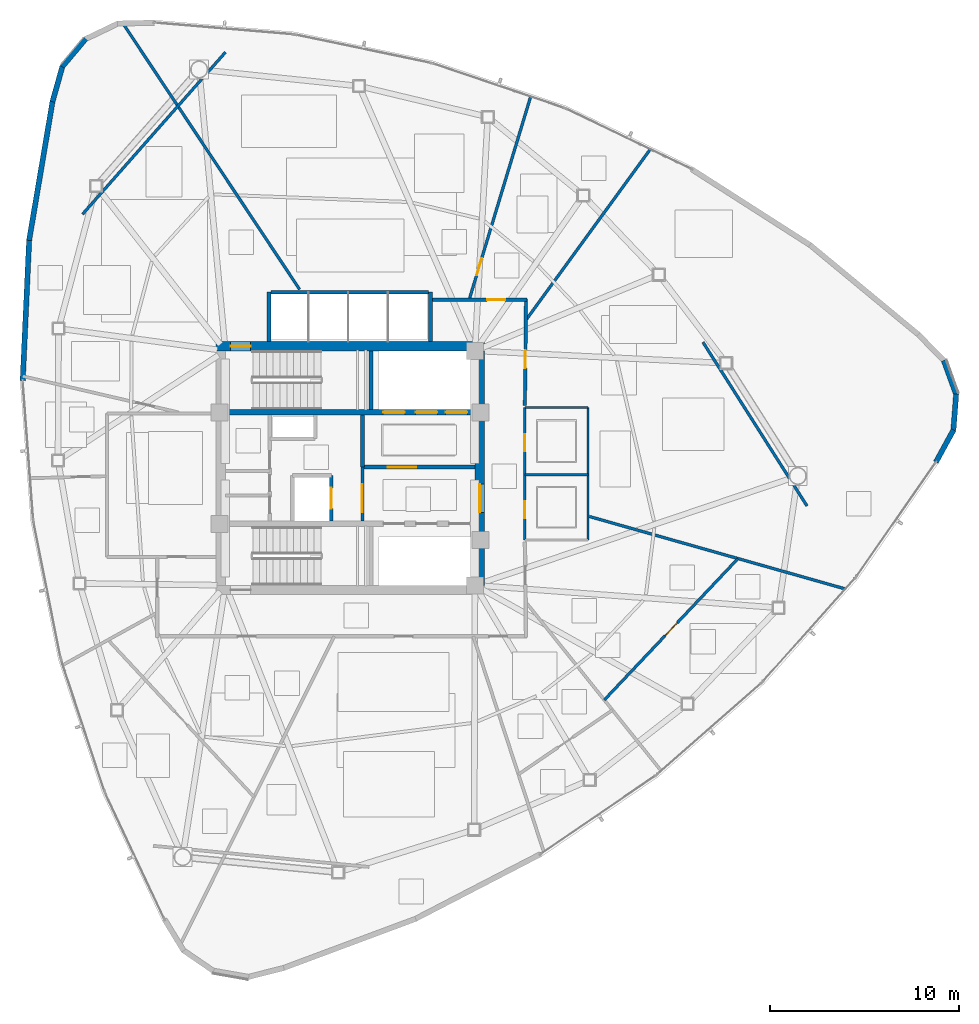
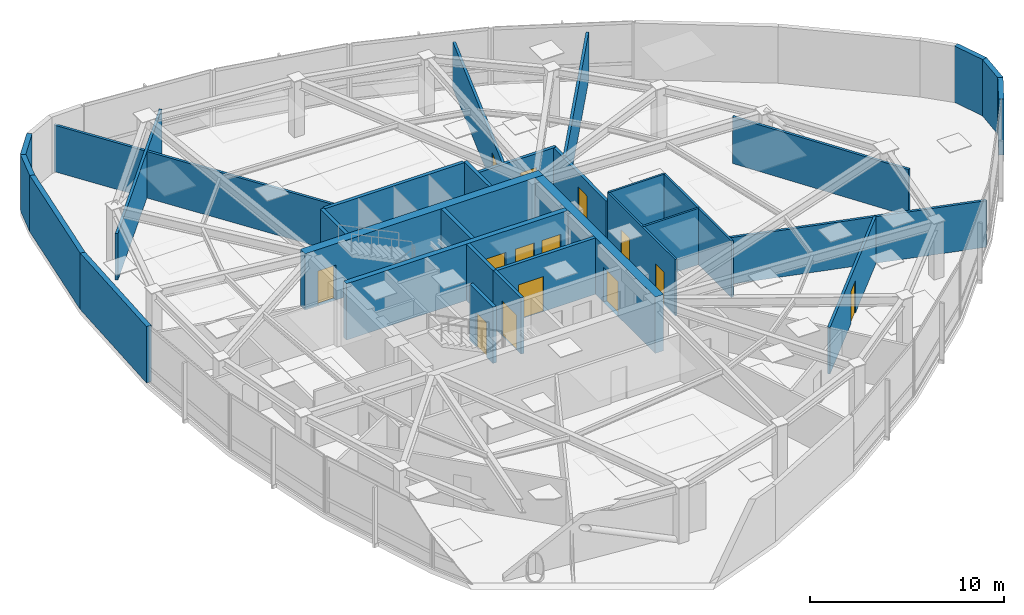
# One storey, part 12 of 17: 31 walls, 14 doors, 14 openings.
"""IFC4 building model written with IfcOpenShell, lengths in metres."""

import ifcopenshell
import ifcopenshell.guid

model = None  # the IFC model being written
_history = None  # IfcOwnerHistory: only IFC2X3 demands one
_inside = {}  # id of a spatial element -> (the spatial element, [elements in it])
_under = {}  # id of a project, library or spatial element -> (it, [spatial elements below it])
_declared = {}  # id of a project -> (the project, [libraries it declares])
_typed = {}  # id of a type object -> (the type object, [elements of that type])
_made_of = {}  # id of a material, layer set ... -> (it, [elements and type objects made of it])


def new_model(schema):
    """Start an empty IFC model of exactly this schema.

    Asked for "IFC4X3", IfcOpenShell would pick the latest addendum, in which some entities
    have other attributes; the version numbers below select the first issue.
    IFC2X3 requires an IfcOwnerHistory on every rooted entity: one is made here for all.
    """
    global model, _history
    if schema == "IFC4X3":
        model = ifcopenshell.file(schema_version=(4, 3, 0, 0))
    else:
        model = ifcopenshell.file(schema=schema)
    _inside.clear()
    _under.clear()
    _declared.clear()
    _typed.clear()
    _made_of.clear()
    _history = None
    if model.schema == "IFC2X3":
        org = make("IfcOrganization", Name="unknown")
        user = make(
            "IfcPersonAndOrganization",
            ThePerson=make("IfcPerson", FamilyName="unknown"),
            TheOrganization=org,
        )
        app = make(
            "IfcApplication",
            ApplicationDeveloper=org,
            Version="unknown",
            ApplicationFullName="unknown",
            ApplicationIdentifier="unknown",
        )
        _history = make(
            "IfcOwnerHistory",
            OwningUser=user,
            OwningApplication=app,
            ChangeAction="ADDED",
            CreationDate=0,
        )
    return model


def make(cls, **values):
    """One entity of the class cls with the attributes given. An attribute that is None is left unset."""
    return model.create_entity(
        cls, **{name: value for name, value in values.items() if value is not None}
    )


def rooted(cls, **values):
    """An entity with a GlobalId (a new one), such as an element, a storey or a relation."""
    return make(cls, GlobalId=ifcopenshell.guid.new(), OwnerHistory=_history, **values)


def si_unit(unit_type, name, prefix=None):
    """IfcSIUnit, for example si_unit("LENGTHUNIT", "METRE", prefix="MILLI")."""
    return make("IfcSIUnit", UnitType=unit_type, Prefix=prefix, Name=name)


def assignment(units):
    """IfcUnitAssignment: the units of a project."""
    return None if units is None else make("IfcUnitAssignment", Units=units)


def point(xyz):
    """IfcCartesianPoint."""
    return None if xyz is None else make("IfcCartesianPoint", Coordinates=xyz)


def direction(xyz):
    """IfcDirection."""
    return None if xyz is None else make("IfcDirection", DirectionRatios=xyz)


def frame(location, z_axis=None, x_axis=None):
    """IfcAxis2Placement3D, a coordinate frame: its origin and axes. An axis left out is left unset."""
    return make(
        "IfcAxis2Placement3D",
        Location=point(location),
        Axis=direction(z_axis),
        RefDirection=direction(x_axis),
    )


def frame_2d(location, x_axis=None):
    """IfcAxis2Placement2D, a coordinate frame in the plane: its origin and x axis."""
    return make(
        "IfcAxis2Placement2D", Location=point(location), RefDirection=direction(x_axis)
    )


def origin():
    """The frame at (0, 0, 0) with its axes left unset."""
    return frame((0.0, 0.0, 0.0))


def place(relative_to, where):
    """IfcLocalPlacement: puts the frame where relative to a parent placement (None: the world)."""
    return make(
        "IfcLocalPlacement", PlacementRelTo=relative_to, RelativePlacement=where
    )


def context(
    kind, dimensions, precision=None, world=None, true_north=None, identifier=None
):
    """IfcGeometricRepresentationContext, for example the 3D "Model" context."""
    return make(
        "IfcGeometricRepresentationContext",
        ContextIdentifier=identifier,
        ContextType=kind,
        CoordinateSpaceDimension=dimensions,
        Precision=precision,
        WorldCoordinateSystem=world,
        TrueNorth=true_north,
    )


def subcontext(parent, identifier, kind, view, scale=None):
    """IfcGeometricRepresentationSubContext, for example "Body" below "Model"."""
    return make(
        "IfcGeometricRepresentationSubContext",
        ContextIdentifier=identifier,
        ContextType=kind,
        ParentContext=parent,
        TargetScale=scale,
        TargetView=view,
    )


def project(units=None, contexts=None):
    """IfcProject with its units and contexts."""
    return rooted(
        "IfcProject",
        Name="project",
        RepresentationContexts=contexts,
        UnitsInContext=assignment(units),
    )


def spatial(cls, under=None, at=None, **own):
    """A site, building, storey or space (cls), placed at a placement, below another one or the project."""
    s = rooted(cls, ObjectPlacement=at, **own)
    if under is not None:
        _under.setdefault(under.id(), (under, []))[1].append(s)
    return s


def profile(cls, at=None, kind="AREA", **sizes):
    """A parametric profile (cls). Its sizes go by their IFC names, for example OverallWidth=200.0."""
    return make(cls, ProfileType=kind, Position=at, **sizes)


def rectangle(**sizes):
    """IfcRectangleProfileDef."""
    return profile("IfcRectangleProfileDef", **sizes)


def extrude(swept, where, along, depth):
    """IfcExtrudedAreaSolid: the profile swept, set in the frame where, extruded along a direction by depth."""
    return make(
        "IfcExtrudedAreaSolid",
        SweptArea=swept,
        Position=where,
        ExtrudedDirection=direction(along),
        Depth=depth,
    )


def shape(context_of_items, identifier, shape_type, items):
    """IfcShapeRepresentation: the items that make up one representation, for example the "Body"."""
    return make(
        "IfcShapeRepresentation",
        ContextOfItems=context_of_items,
        RepresentationIdentifier=identifier,
        RepresentationType=shape_type,
        Items=items,
    )


def material(Name=None, Category=None):
    """IfcMaterial."""
    return make("IfcMaterial", Name=Name, Category=Category)


def layer(
    of_material, thickness, ventilated=None, Name=None, Category=None, Priority=None
):
    """IfcMaterialLayer: one layer of a wall or slab, of a material (None: an air gap)."""
    return make(
        "IfcMaterialLayer",
        Material=of_material,
        LayerThickness=thickness,
        IsVentilated=ventilated,
        Name=Name,
        Category=Category,
        Priority=Priority,
    )


def layer_set(layers, Name=None):
    """IfcMaterialLayerSet."""
    return make("IfcMaterialLayerSet", MaterialLayers=layers, LayerSetName=Name)


def made_of(thing, what):
    """Note that an element or type object is made of a material, layer set ...; save() writes the relation."""
    if what is not None:
        _made_of.setdefault(what.id(), (what, []))[1].append(thing)
    return thing


def type_object(cls, material=None, **own):
    """A type object (cls), such as IfcWallType, which elements share."""
    return made_of(rooted(cls, **own), material)


def element(
    cls,
    number,
    at=None,
    inside=None,
    cuts=None,
    type_object=None,
    material=None,
    context=None,
    identifier="Body",
    shape_type=None,
    held_by="IfcProductDefinitionShape",
    body=None,
    shapes=None,
    **own,
):
    """One element of the class cls, such as IfcWall. Its Tag is "e" and its number.

    at: its placement. inside: the storey or other place that contains it. cuts: it is an
    opening in that element (IfcRelVoidsElement). A single representation is given by context,
    identifier, shape_type and body (its items); several are given by shapes. held_by: the class
    of the entity that holds the representations. save() writes the other relations.
    """
    e = rooted(cls, Tag="e%d" % number, ObjectPlacement=at, **own)
    if body is not None:
        shapes = [shape(context, identifier, shape_type, body)]
    if shapes is not None:
        e.Representation = make(held_by, Representations=shapes)
    if inside is not None:
        _inside.setdefault(inside.id(), (inside, []))[1].append(e)
    if cuts is not None:
        rooted(
            "IfcRelVoidsElement", RelatingBuildingElement=cuts, RelatedOpeningElement=e
        )
    if type_object is not None:
        _typed.setdefault(type_object.id(), (type_object, []))[1].append(e)
    return made_of(e, material)


def fill(opening, filler):
    """IfcRelFillsElement: the door or window that sits in an opening."""
    return rooted(
        "IfcRelFillsElement",
        RelatingOpeningElement=opening,
        RelatedBuildingElement=filler,
    )


def aggregate(whole, parts):
    """IfcRelAggregates: a whole, such as a stair, and the parts it consists of."""
    return rooted("IfcRelAggregates", RelatingObject=whole, RelatedObjects=parts)


def save(model, path):
    """Write the relations noted so far, then the file.

    IfcRelAggregates (storeys below a building ...), IfcRelContainedInSpatialStructure (elements
    in a storey), IfcRelDefinesByType, IfcRelAssociatesMaterial and IfcRelDeclares: one each for
    every whole, place, type object, material and project.
    """
    for whole, parts in _under.values():
        aggregate(whole, parts)
    for where, things in _inside.values():
        rooted(
            "IfcRelContainedInSpatialStructure",
            RelatedElements=things,
            RelatingStructure=where,
        )
    for kind, things in _typed.values():
        rooted("IfcRelDefinesByType", RelatedObjects=things, RelatingType=kind)
    for what, things in _made_of.values():
        rooted("IfcRelAssociatesMaterial", RelatedObjects=things, RelatingMaterial=what)
    for by, libraries in _declared.values():
        rooted("IfcRelDeclares", RelatingContext=by, RelatedDefinitions=libraries)
    model.write(path)


model = new_model("IFC4")

# Units and contexts
model_context = context("Model", 3, precision=1e-05, world=origin(), true_north=direction((0.0, 1.0)))
body_context = subcontext(model_context, "Body", "Model", "MODEL_VIEW")
ifc_project = project(units=[si_unit("LENGTHUNIT", "METRE"), si_unit("AREAUNIT", "SQUARE_METRE"), si_unit("VOLUMEUNIT", "CUBIC_METRE"), si_unit("PLANEANGLEUNIT", "RADIAN"), si_unit("MASSUNIT", "GRAM", prefix="KILO")], contexts=[model_context])

# Site, building, storey
site_placement = place(None, origin())
site = spatial("IfcSite", under=ifc_project, at=site_placement, CompositionType="ELEMENT")
building_placement = place(site_placement, origin())
building = spatial("IfcBuilding", under=site, at=building_placement, Name="Tavelor Broadcast Tower", CompositionType="ELEMENT")
storey_placement = place(building_placement, frame((0.0, 0.0, 192.60009765625)))
storey = spatial("IfcBuildingStorey", under=building, at=storey_placement, Name="L46", CompositionType="ELEMENT", Elevation=192.60009765625)

# Wall, opening, door
ifc_material_1 = material(Name="Concrete C50/60", Category="concrete")
ifc_layer_1 = layer(ifc_material_1, 0.5)
ifc_layer_set_1 = layer_set([ifc_layer_1], Name="Concrete C50/60")
wall_type_1 = type_object("IfcWallType", Name="Core Shear Wall 500 mm", PredefinedType="SHEAR", material=ifc_layer_set_1)
wall_1_placement = place(storey_placement, frame((42.89990234375, 51.449951171875, 0.0), z_axis=(0.0, 0.0, 1.0), x_axis=(1.0, 0.0, 0.0)))
wall_1 = element("IfcWall", 1, at=wall_1_placement, inside=storey, type_object=wall_type_1, Name="L46 Central Core Shear Wall N", PredefinedType="SHEAR", context=body_context, shape_type="SweptSolid", body=[
    extrude(rectangle(XDim=14.2001953125, YDim=0.5, at=frame_2d((7.10009765625, 0.0))), origin(), (0.0, 0.0, 1.0), 3.5498046875),
])
opening_1_placement = place(wall_1_placement, frame((0.780029296875, 0.0, 0.0)))
opening_1 = element("IfcOpeningElement", 2, at=opening_1_placement, cuts=wall_1, Name="Opening DR11", PredefinedType="OPENING", context=body_context, shape_type="SweptSolid", body=[
    extrude(rectangle(XDim=1.050048828125, YDim=2.199951171875, at=frame_2d((0.52490234375, 1.10009765625))), frame((0.0, 0.260009765625, 0.0), z_axis=(0.0, -1.0, 0.0), x_axis=(1.0, 0.0, 0.0)), (0.0, 0.0, 1.0), 0.52001953125),
])
ifc_material_2 = material(Name="Steel S355", Category="steel")
door_type_1 = type_object("IfcDoorType", Name="Stair Core Fire Escape Door 1050x2200", OperationType="NOTDEFINED", PredefinedType="DOOR", material=ifc_material_2)
door_1_placement = place(opening_1_placement, origin())
door_1 = element("IfcDoor", 3, at=door_1_placement, inside=storey, type_object=door_type_1, Name="L46 Stair ST1 Protected Exit Door", OperationType="SINGLE_SWING_LEFT", OverallHeight=2.199951171875, OverallWidth=1.050048828125, PredefinedType="DOOR", context=body_context, shape_type="SweptSolid", body=[
    extrude(rectangle(XDim=1.050048828125, YDim=2.199951171875, at=frame_2d((0.52490234375, 1.10009765625))), frame((0.0, 0.02490234375, 0.0), z_axis=(0.0, -1.0, 0.0), x_axis=(1.0, 0.0, 0.0)), (0.0, 0.0, 1.0), 0.050048828125),
])
fill(opening_1, door_1)

wall_2_placement = place(storey_placement, frame((56.85009765625, 38.800048828125, 0.0), z_axis=(0.0, 0.0, 1.0), x_axis=(0.0, 1.0, 0.0)))
wall_2 = element("IfcWall", 4, at=wall_2_placement, inside=storey, type_object=wall_type_1, Name="L46 Central Core Shear Wall E", PredefinedType="SHEAR", context=body_context, shape_type="SweptSolid", body=[
    extrude(rectangle(XDim=12.39990234375, YDim=0.5, at=frame_2d((6.199951171875, 0.0))), origin(), (0.0, 0.0, 1.0), 3.5498046875),
])
opening_2_placement = place(wall_2_placement, frame((3.85009765625, 0.0, 0.0)))
opening_2 = element("IfcOpeningElement", 5, at=opening_2_placement, cuts=wall_2, Name="Opening DR14", PredefinedType="OPENING", context=body_context, shape_type="SweptSolid", body=[
    extrude(rectangle(XDim=1.5, YDim=2.199951171875, at=frame_2d((0.75, 1.10009765625))), frame((0.0, 0.260009765625, 0.0), z_axis=(0.0, -1.0, 0.0), x_axis=(1.0, 0.0, 0.0)), (0.0, 0.0, 1.0), 0.52001953125),
])
door_type_2 = type_object("IfcDoorType", Name="Firefighting Lobby Double Fire Door 1500x2200", OperationType="NOTDEFINED", PredefinedType="DOOR", material=ifc_material_2)
door_2_placement = place(opening_2_placement, origin())
door_2 = element("IfcDoor", 6, at=door_2_placement, inside=storey, type_object=door_type_2, Name="L46 Central Core Lobby Fire Door", OperationType="SINGLE_SWING_RIGHT", OverallHeight=2.199951171875, OverallWidth=1.5, PredefinedType="DOOR", context=body_context, shape_type="SweptSolid", body=[
    extrude(rectangle(XDim=1.5, YDim=2.199951171875, at=frame_2d((0.75, 1.10009765625))), frame((0.0, 0.02490234375, 0.0), z_axis=(0.0, -1.0, 0.0), x_axis=(1.0, 0.0, 0.0)), (0.0, 0.0, 1.0), 0.050048828125),
])
fill(opening_2, door_2)

# Wall, openings, doors
ifc_layer_2 = layer(ifc_material_1, 0.300048828125)
ifc_layer_set_2 = layer_set([ifc_layer_2], Name="Concrete C50/60")
wall_type_2 = type_object("IfcWallType", Name="Core Spine Shear Wall 300 mm C50", PredefinedType="SHEAR", material=ifc_layer_set_2)
wall_3_placement = place(storey_placement, frame((43.39990234375, 47.949951171875, 0.0), z_axis=(0.0, 0.0, 1.0), x_axis=(1.0, 0.0, 0.0)))
wall_3 = element("IfcWall", 7, at=wall_3_placement, inside=storey, type_object=wall_type_2, Name="L46 Central Core Shear Wall SP1", PredefinedType="SHEAR", context=body_context, shape_type="SweptSolid", body=[
    extrude(rectangle(XDim=13.2001953125, YDim=0.300048828125, at=frame_2d((6.60009765625, 0.0))), origin(), (0.0, 0.0, 1.0), 3.5498046875),
])
opening_3_placement = place(wall_3_placement, frame((8.344970703125, 0.0, 0.0)))
opening_3 = element("IfcOpeningElement", 8, at=opening_3_placement, cuts=wall_3, Name="Opening LD02", PredefinedType="OPENING", context=body_context, shape_type="SweptSolid", body=[
    extrude(rectangle(XDim=1.14990234375, YDim=2.199951171875, at=frame_2d((0.574951171875, 1.10009765625))), frame((0.0, 0.16015625, 0.0), z_axis=(0.0, -1.0, 0.0), x_axis=(1.0, 0.0, 0.0)), (0.0, 0.0, 1.0), 0.320068359375),
])
opening_4_placement = place(wall_3_placement, frame((10.06494140625, 0.0, 0.0)))
opening_4 = element("IfcOpeningElement", 9, at=opening_4_placement, cuts=wall_3, Name="Opening LD02", PredefinedType="OPENING", context=body_context, shape_type="SweptSolid", body=[
    extrude(rectangle(XDim=1.14990234375, YDim=2.199951171875, at=frame_2d((0.574951171875, 1.10009765625))), frame((0.0, 0.16015625, 0.0), z_axis=(0.0, -1.0, 0.0), x_axis=(1.0, 0.0, 0.0)), (0.0, 0.0, 1.0), 0.320068359375),
])
opening_5_placement = place(wall_3_placement, frame((11.64501953125, 0.0, 0.0)))
opening_5 = element("IfcOpeningElement", 10, at=opening_5_placement, cuts=wall_3, Name="Opening LD03", PredefinedType="OPENING", context=body_context, shape_type="SweptSolid", body=[
    extrude(rectangle(XDim=1.14990234375, YDim=2.199951171875, at=frame_2d((0.574951171875, 1.10009765625))), frame((0.0, 0.16015625, 0.0), z_axis=(0.0, -1.0, 0.0), x_axis=(1.0, 0.0, 0.0)), (0.0, 0.0, 1.0), 0.320068359375),
])
ifc_material_3 = material(Name="Reinforced Brushed Stainless Steel", Category="concrete")
door_type_3 = type_object("IfcDoorType", Name="Broadcast Goods Lift Sliding Landing Door 1250x2200", OperationType="NOTDEFINED", PredefinedType="DOOR", material=ifc_material_3)
door_3_placement = place(opening_5_placement, origin())
door_3 = element("IfcDoor", 11, at=door_3_placement, inside=storey, type_object=door_type_3, Name="L46 Lift SVL1 Sliding Landing Door", OperationType="SLIDING_TO_LEFT", OverallHeight=2.199951171875, OverallWidth=1.14990234375, PredefinedType="DOOR", context=body_context, shape_type="SweptSolid", body=[
    extrude(rectangle(XDim=1.14990234375, YDim=2.199951171875, at=frame_2d((0.574951171875, 1.10009765625))), frame((0.0, 0.02490234375, 0.0), z_axis=(0.0, -1.0, 0.0), x_axis=(1.0, 0.0, 0.0)), (0.0, 0.0, 1.0), 0.050048828125),
])
fill(opening_5, door_3)
ifc_material_4 = material(Name="Fire-Rated Stainless Steel", Category="steel")
door_type_4 = type_object("IfcDoorType", Name="Firefighting Lift Sliding Landing Door 1200x2200", OperationType="NOTDEFINED", PredefinedType="DOOR", material=ifc_material_4)
door_4_placement = place(opening_3_placement, origin())
door_4 = element("IfcDoor", 12, at=door_4_placement, inside=storey, type_object=door_type_4, Name="L46 Lift FFL1 Sliding Landing Door", OperationType="SLIDING_TO_LEFT", OverallHeight=2.199951171875, OverallWidth=1.14990234375, PredefinedType="DOOR", context=body_context, shape_type="SweptSolid", body=[
    extrude(rectangle(XDim=1.14990234375, YDim=2.199951171875, at=frame_2d((0.574951171875, 1.10009765625))), frame((0.0, 0.02490234375, 0.0), z_axis=(0.0, -1.0, 0.0), x_axis=(1.0, 0.0, 0.0)), (0.0, 0.0, 1.0), 0.050048828125),
])
fill(opening_3, door_4)
door_5_placement = place(opening_4_placement, origin())
door_5 = element("IfcDoor", 13, at=door_5_placement, inside=storey, type_object=door_type_4, Name="L46 Lift FFL2 Sliding Landing Door", OperationType="SLIDING_TO_LEFT", OverallHeight=2.199951171875, OverallWidth=1.14990234375, PredefinedType="DOOR", context=body_context, shape_type="SweptSolid", body=[
    extrude(rectangle(XDim=1.14990234375, YDim=2.199951171875, at=frame_2d((0.574951171875, 1.10009765625))), frame((0.0, 0.02490234375, 0.0), z_axis=(0.0, -1.0, 0.0), x_axis=(1.0, 0.0, 0.0)), (0.0, 0.0, 1.0), 0.050048828125),
])
fill(opening_4, door_5)

# Wall, opening, door
ifc_material_5 = material(Name="Calcium Silicate Fire Board 180 mm", Category="gypsum")
ifc_layer_3 = layer(ifc_material_5, 0.179931640625)
ifc_layer_set_3 = layer_set([ifc_layer_3], Name="Calcium Silicate Fire Board 180 mm")
wall_type_3 = type_object("IfcWallType", Name="Fire-Rated Corridor Partition Wall 180 mm", PredefinedType="PARTITIONING", material=ifc_layer_set_3)
wall_4_placement = place(storey_placement, frame((50.64990234375, 42.199951171875, 0.0), z_axis=(0.0, 0.0, 1.0), x_axis=(0.0, 1.0, 0.0)))
wall_4 = element("IfcWall", 14, at=wall_4_placement, inside=storey, type_object=wall_type_3, Name="L46 Core Lobby Zoning Wall", PredefinedType="PARTITIONING", context=body_context, shape_type="SweptSolid", body=[
    extrude(rectangle(XDim=2.85009765625, YDim=0.179931640625, at=frame_2d((1.425048828125, 0.0))), origin(), (0.0, 0.0, 1.0), 3.5498046875),
])
opening_6_placement = place(wall_4_placement, frame((0.449951171875, 0.0, 0.0)))
opening_6 = element("IfcOpeningElement", 15, at=opening_6_placement, cuts=wall_4, Name="Opening DR14", PredefinedType="OPENING", context=body_context, shape_type="SweptSolid", body=[
    extrude(rectangle(XDim=1.5, YDim=2.199951171875, at=frame_2d((0.75, 1.10009765625))), frame((0.0, 0.10009765625, 0.0), z_axis=(0.0, -1.0, 0.0), x_axis=(1.0, 0.0, 0.0)), (0.0, 0.0, 1.0), 0.199951171875),
])
door_6_placement = place(opening_6_placement, origin())
door_6 = element("IfcDoor", 16, at=door_6_placement, inside=storey, type_object=door_type_2, Name="L46 Core West Lobby Double Fire Door", OperationType="SINGLE_SWING_RIGHT", OverallHeight=2.199951171875, OverallWidth=1.5, PredefinedType="DOOR", context=body_context, shape_type="SweptSolid", body=[
    extrude(rectangle(XDim=1.5, YDim=2.199951171875, at=frame_2d((0.75, 1.10009765625))), frame((0.0, 0.02490234375, 0.0), z_axis=(0.0, -1.0, 0.0), x_axis=(1.0, 0.0, 0.0)), (0.0, 0.0, 1.0), 0.050048828125),
])
fill(opening_6, door_6)

wall_5_placement = place(storey_placement, frame((54.300048828125, 53.89990234375, 0.0), z_axis=(0.0, 0.0, 1.0), x_axis=(1.0, 0.0, 0.0)))
wall_5 = element("IfcWall", 17, at=wall_5_placement, inside=storey, type_object=wall_type_3, Name="L46 Corridor Compartment Wall 01", PredefinedType="PARTITIONING", context=body_context, shape_type="SweptSolid", body=[
    extrude(rectangle(XDim=5.050048828125, YDim=0.179931640625, at=frame_2d((2.52490234375, 0.0))), origin(), (0.0, 0.0, 1.0), 2.934814453125),
])
opening_7_placement = place(wall_5_placement, frame((2.947021484375, 0.0, 0.0)))
opening_7 = element("IfcOpeningElement", 18, at=opening_7_placement, cuts=wall_5, Name="Opening DR18", PredefinedType="OPENING", context=body_context, shape_type="SweptSolid", body=[
    extrude(rectangle(XDim=0.949951171875, YDim=2.050048828125, at=frame_2d((0.47509765625, 1.02490234375))), frame((0.0, 0.10009765625, 0.0), z_axis=(0.0, -1.0, 0.0), x_axis=(1.0, 0.0, 0.0)), (0.0, 0.0, 1.0), 0.199951171875),
])
ifc_material_6 = material(Name="Timber Solid Core Hardwood", Category="wood")
door_type_5 = type_object("IfcDoorType", Name="Corridor Rated Compartment Door 950x2050", OperationType="NOTDEFINED", PredefinedType="DOOR", material=ifc_material_6)
door_7_placement = place(opening_7_placement, origin())
door_7 = element("IfcDoor", 19, at=door_7_placement, inside=storey, type_object=door_type_5, Name="L46 Master Control Room Door R9", OperationType="SINGLE_SWING_LEFT", OverallHeight=2.050048828125, OverallWidth=0.949951171875, PredefinedType="DOOR", context=body_context, shape_type="SweptSolid", body=[
    extrude(rectangle(XDim=0.949951171875, YDim=2.050048828125, at=frame_2d((0.47509765625, 1.02490234375))), frame((0.0, 0.02490234375, 0.0), z_axis=(0.0, -1.0, 0.0), x_axis=(1.0, 0.0, 0.0)), (0.0, 0.0, 1.0), 0.050048828125),
])
fill(opening_7, door_7)

wall_6_placement = place(storey_placement, frame((59.300537109375, 53.949951171875, 0.0), z_axis=(0.0, 0.0, 1.0), x_axis=(-0.010629422803, -0.99994350609, 0.0)))
wall_6 = element("IfcWall", 20, at=wall_6_placement, inside=storey, type_object=wall_type_3, Name="L46 Corridor Compartment Wall 02", PredefinedType="PARTITIONING", context=body_context, shape_type="SweptSolid", body=[
    extrude(rectangle(XDim=5.650146484375, YDim=0.179931640625, at=frame_2d((2.8251953125, 0.0))), origin(), (0.0, 0.0, 1.0), 2.934814453125),
])
opening_8_placement = place(wall_6_placement, frame((2.71630859375, 0.0, 0.0)))
opening_8 = element("IfcOpeningElement", 21, at=opening_8_placement, cuts=wall_6, Name="Opening DR18", PredefinedType="OPENING", context=body_context, shape_type="SweptSolid", body=[
    extrude(rectangle(XDim=0.949951171875, YDim=2.050048828125, at=frame_2d((0.47509765625, 1.02490234375))), frame((0.0, 0.10009765625, 0.0), z_axis=(0.0, -1.0, 0.0), x_axis=(1.0, 0.0, 0.0)), (0.0, 0.0, 1.0), 0.199951171875),
])
door_8_placement = place(opening_8_placement, origin())
door_8 = element("IfcDoor", 22, at=door_8_placement, inside=storey, type_object=door_type_5, Name="L46 Standards Huddle Room Door R0", OperationType="SINGLE_SWING_RIGHT", OverallHeight=2.050048828125, OverallWidth=0.949951171875, PredefinedType="DOOR", context=body_context, shape_type="SweptSolid", body=[
    extrude(rectangle(XDim=0.949951171875, YDim=2.050048828125, at=frame_2d((0.47509765625, 1.02490234375))), frame((0.0, 0.02490234375, 0.0), z_axis=(0.0, -1.0, 0.0), x_axis=(1.0, 0.0, 0.0)), (0.0, 0.0, 1.0), 0.050048828125),
])
fill(opening_8, door_8)

# Walls
ifc_material_7 = material(Name="Precast Concrete C40/50", Category="concrete")
ifc_layer_4 = layer(ifc_material_7, 0.280029296875)
ifc_layer_set_4 = layer_set([ifc_layer_4], Name="Precast Concrete C40/50")
wall_type_4 = type_object("IfcWallType", Name="Insulated Precast Terracotta Facade Wall 280 mm", PredefinedType="STANDARD", material=ifc_layer_set_4)
wall_7_placement = place(storey_placement, frame((36.009033203125, 67.701904296875, 0.0), z_axis=(0.0, 0.0, 1.0), x_axis=(-0.643429643548, -0.765505253936, 0.0)))
element("IfcWall", 23, at=wall_7_placement, inside=storey, type_object=wall_type_4, Name="L46 Rounded Corner Structural Cladding Pier 03", PredefinedType="STANDARD", context=body_context, shape_type="SweptSolid", body=[
    extrude(rectangle(XDim=1.927978515625, YDim=0.280029296875, at=frame_2d((0.9638671875, 0.0))), origin(), (0.0, 0.0, 1.0), 3.5498046875),
])
wall_8_placement = place(storey_placement, frame((34.7822265625, 66.251953125, 0.0), z_axis=(0.0, 0.0, 1.0), x_axis=(-0.27149584085, -0.96243961286, 0.0)))
element("IfcWall", 24, at=wall_8_placement, inside=storey, type_object=wall_type_4, Name="L46 Rounded Corner Structural Cladding Pier 04", PredefinedType="STANDARD", context=body_context, shape_type="SweptSolid", body=[
    extrude(rectangle(XDim=1.950439453125, YDim=0.280029296875, at=frame_2d((0.97509765625, 0.0))), origin(), (0.0, 0.0, 1.0), 3.5498046875),
])
wall_9_placement = place(storey_placement, frame((34.259521484375, 64.404052734375, 0.0), z_axis=(0.0, 0.0, 1.0), x_axis=(-0.166376159254, -0.986062357882, 0.0)))
element("IfcWall", 25, at=wall_9_placement, inside=storey, type_object=wall_type_4, Name="L46 Rounded Corner Structural Cladding Pier 05", PredefinedType="STANDARD", context=body_context, shape_type="SweptSolid", body=[
    extrude(rectangle(XDim=7.467529296875, YDim=0.280029296875, at=frame_2d((3.73388671875, 0.0))), origin(), (0.0, 0.0, 1.0), 3.5498046875),
])
wall_10_placement = place(storey_placement, frame((33.020263671875, 57.0703125, 0.0), z_axis=(0.0, 0.0, 1.0), x_axis=(-0.045811682329, -0.99895009373, 0.0)))
element("IfcWall", 26, at=wall_10_placement, inside=storey, type_object=wall_type_4, Name="L46 Rounded Corner Structural Cladding Pier 06", PredefinedType="STANDARD", context=body_context, shape_type="SweptSolid", body=[
    extrude(rectangle(XDim=7.45556640625, YDim=0.280029296875, at=frame_2d((3.727783203125, 0.0))), origin(), (0.0, 0.0, 1.0), 3.5498046875),
])
wall_11_placement = place(storey_placement, frame((80.984130859375, 45.31591796875, 0.0), z_axis=(0.0, 0.0, 1.0), x_axis=(0.479495859429, 0.87754414179, 0.0)))
element("IfcWall", 27, at=wall_11_placement, inside=storey, type_object=wall_type_4, Name="L46 Rounded Corner Structural Cladding Pier 21", PredefinedType="STANDARD", context=body_context, shape_type="SweptSolid", body=[
    extrude(rectangle(XDim=1.939453125, YDim=0.280029296875, at=frame_2d((0.9697265625, 0.0))), origin(), (0.0, 0.0, 1.0), 3.5498046875),
])
wall_12_placement = place(storey_placement, frame((81.90576171875, 46.98974609375, 0.0), z_axis=(0.0, 0.0, 1.0), x_axis=(0.075853980568, 0.997118936553, 0.0)))
element("IfcWall", 28, at=wall_12_placement, inside=storey, type_object=wall_type_4, Name="L46 Rounded Corner Structural Cladding Pier 22", PredefinedType="STANDARD", context=body_context, shape_type="SweptSolid", body=[
    extrude(rectangle(XDim=1.927978515625, YDim=0.280029296875, at=frame_2d((0.9638671875, 0.0))), origin(), (0.0, 0.0, 1.0), 3.5498046875),
])
wall_13_placement = place(storey_placement, frame((82.055908203125, 48.88330078125, 0.0), z_axis=(0.0, 0.0, 1.0), x_axis=(-0.341193881893, 0.939992944101, 0.0)))
element("IfcWall", 29, at=wall_13_placement, inside=storey, type_object=wall_type_4, Name="L46 Rounded Corner Structural Cladding Pier 23", PredefinedType="STANDARD", context=body_context, shape_type="SweptSolid", body=[
    extrude(rectangle(XDim=1.927734375, YDim=0.280029296875, at=frame_2d((0.9638671875, 0.0))), origin(), (0.0, 0.0, 1.0), 3.5498046875),
])
ifc_material_8 = material(Name="Gypsum Acoustic Plasterboard 150 mm", Category="gypsum")
ifc_layer_5 = layer(ifc_material_8, 0.14990234375)
ifc_layer_set_5 = layer_set([ifc_layer_5], Name="Gypsum Acoustic Plasterboard 150 mm")
wall_type_5 = type_object("IfcWallType", Name="Interior Acoustic Partition Wall 150 mm", PredefinedType="PARTITIONING", material=ifc_layer_set_5)
wall_14_placement = place(storey_placement, frame((43.399658203125, 66.988525390625, 0.0), z_axis=(0.0, 0.0, 1.0), x_axis=(-0.661622343701, -0.749837231881, 0.0)))
element("IfcWall", 30, at=wall_14_placement, inside=storey, type_object=wall_type_5, Name="L46 Corner Tube Brace Furring Wall 1", PredefinedType="PARTITIONING", context=body_context, shape_type="SweptSolid", body=[
    extrude(rectangle(XDim=11.42724609375, YDim=0.14990234375, at=frame_2d((5.713623046875, 0.0))), origin(), (0.0, 0.0, 1.0), 2.934814453125),
])
wall_15_placement = place(storey_placement, frame((74.16259765625, 42.9931640625, 0.0), z_axis=(0.0, 0.0, 1.0), x_axis=(-0.53628142437, 0.844039237166, 0.0)))
element("IfcWall", 31, at=wall_15_placement, inside=storey, type_object=wall_type_5, Name="L46 Corner Tube Brace Furring Wall 3", PredefinedType="PARTITIONING", context=body_context, shape_type="SweptSolid", body=[
    extrude(rectangle(XDim=10.266845703125, YDim=0.14990234375, at=frame_2d((5.13330078125, 0.0))), origin(), (0.0, 0.0, 1.0), 2.934814453125),
])
wall_16_placement = place(storey_placement, frame((62.64990234375, 42.43798828125, 0.0), z_axis=(0.0, 0.0, 1.0), x_axis=(0.962194649493, -0.272362729623, 0.0)))
element("IfcWall", 32, at=wall_16_placement, inside=storey, type_object=wall_type_5, Name="L46 Radial Compartment Wall 06", PredefinedType="PARTITIONING", context=body_context, shape_type="SweptSolid", body=[
    extrude(rectangle(XDim=14.08740234375, YDim=0.14990234375, at=frame_2d((7.043701171875, 0.0))), origin(), (0.0, 0.0, 1.0), 2.934814453125),
])
wall_17_placement = place(storey_placement, frame((59.28857421875, 52.814208984375, 0.0), z_axis=(0.0, 0.0, 1.0), x_axis=(0.588525529154, 0.808478633938, 0.0)))
element("IfcWall", 33, at=wall_17_placement, inside=storey, type_object=wall_type_5, Name="L46 Radial Compartment Wall 07", PredefinedType="PARTITIONING", context=body_context, shape_type="SweptSolid", body=[
    extrude(rectangle(XDim=11.198486328125, YDim=0.14990234375, at=frame_2d((5.59912109375, 0.0))), origin(), (0.0, 0.0, 1.0), 3.02490234375),
])

# Wall, opening, door
wall_18_placement = place(storey_placement, frame((56.293701171875, 53.89990234375, 0.0), z_axis=(0.0, 0.0, 1.0), x_axis=(0.289663604398, 0.957128516077, 0.0)))
wall_18 = element("IfcWall", 34, at=wall_18_placement, inside=storey, type_object=wall_type_5, Name="L46 Radial Compartment Wall 08", PredefinedType="PARTITIONING", context=body_context, shape_type="SweptSolid", body=[
    extrude(rectangle(XDim=11.235107421875, YDim=0.14990234375, at=frame_2d((5.61767578125, 0.0))), origin(), (0.0, 0.0, 1.0), 2.934814453125),
])
opening_9_placement = place(wall_18_placement, frame((1.35009765625, 0.0, 0.0)))
opening_9 = element("IfcOpeningElement", 35, at=opening_9_placement, cuts=wall_18, Name="Opening DR18", PredefinedType="OPENING", context=body_context, shape_type="SweptSolid", body=[
    extrude(rectangle(XDim=0.949951171875, YDim=2.050048828125, at=frame_2d((0.47509765625, 1.02490234375))), frame((0.0, 0.0849609375, 0.0), z_axis=(0.0, -1.0, 0.0), x_axis=(1.0, 0.0, 0.0)), (0.0, 0.0, 1.0), 0.169921875),
])
door_9_placement = place(opening_9_placement, origin())
door_9 = element("IfcDoor", 36, at=door_9_placement, inside=storey, type_object=door_type_5, Name="L46 Suite Connecting Door 8", OperationType="SINGLE_SWING_RIGHT", OverallHeight=2.050048828125, OverallWidth=0.949951171875, PredefinedType="DOOR", context=body_context, shape_type="SweptSolid", body=[
    extrude(rectangle(XDim=0.949951171875, YDim=2.050048828125, at=frame_2d((0.47509765625, 1.02490234375))), frame((0.0, 0.02490234375, 0.0), z_axis=(0.0, -1.0, 0.0), x_axis=(1.0, 0.0, 0.0)), (0.0, 0.0, 1.0), 0.050048828125),
])
fill(opening_9, door_9)

# Wall
wall_19_placement = place(storey_placement, frame((47.32421875, 54.449951171875, 0.0), z_axis=(0.0, 0.0, 1.0), x_axis=(-0.553225829578, 0.833031320833, 0.0)))
element("IfcWall", 37, at=wall_19_placement, inside=storey, type_object=wall_type_5, Name="L46 Radial Compartment Wall 09", PredefinedType="PARTITIONING", context=body_context, shape_type="SweptSolid", body=[
    extrude(rectangle(XDim=16.900146484375, YDim=0.14990234375, at=frame_2d((8.4501953125, 0.0))), origin(), (0.0, 0.0, 1.0), 2.934814453125),
])

# Wall, opening, door
wall_20_placement = place(storey_placement, frame((63.44140625, 32.734375, 0.0), z_axis=(0.0, 0.0, 1.0), x_axis=(0.687008649468, 0.726649238324, 0.0)))
wall_20 = element("IfcWall", 38, at=wall_20_placement, inside=storey, type_object=wall_type_5, Name="L46 Suite Chord Partition Wall 02", PredefinedType="PARTITIONING", context=body_context, shape_type="SweptSolid", body=[
    extrude(rectangle(XDim=10.29150390625, YDim=0.14990234375, at=frame_2d((5.145751953125, 0.0))), origin(), (0.0, 0.0, 1.0), 2.934814453125),
])
opening_10_placement = place(wall_20_placement, frame((4.670654296875, 0.0, 0.0)))
opening_10 = element("IfcOpeningElement", 39, at=opening_10_placement, cuts=wall_20, Name="Opening DR23", PredefinedType="OPENING", context=body_context, shape_type="SweptSolid", body=[
    extrude(rectangle(XDim=0.949951171875, YDim=2.050048828125, at=frame_2d((0.47509765625, 1.02490234375))), frame((0.0, 0.0849609375, 0.0), z_axis=(0.0, -1.0, 0.0), x_axis=(1.0, 0.0, 0.0)), (0.0, 0.0, 1.0), 0.169921875),
])
door_type_6 = type_object("IfcDoorType", Name="Editorial Room Acoustic Door 950x2050", OperationType="NOTDEFINED", PredefinedType="DOOR", material=ifc_material_6)
door_10_placement = place(opening_10_placement, origin())
door_10 = element("IfcDoor", 40, at=door_10_placement, inside=storey, type_object=door_type_6, Name="L46 Outer Suite Partition Door 2", OperationType="SINGLE_SWING_LEFT", OverallHeight=2.050048828125, OverallWidth=0.949951171875, PredefinedType="DOOR", context=body_context, shape_type="SweptSolid", body=[
    extrude(rectangle(XDim=0.949951171875, YDim=2.050048828125, at=frame_2d((0.47509765625, 1.02490234375))), frame((0.0, 0.02490234375, 0.0), z_axis=(0.0, -1.0, 0.0), x_axis=(1.0, 0.0, 0.0)), (0.0, 0.0, 1.0), 0.050048828125),
])
fill(opening_10, door_10)

ifc_material_9 = material(Name="Concrete Blockwork 200 mm", Category="masonry")
ifc_layer_6 = layer(ifc_material_9, 0.199951171875)
ifc_layer_set_6 = layer_set([ifc_layer_6], Name="Concrete Blockwork 200 mm")
wall_type_6 = type_object("IfcWallType", Name="Lift Hoistway Rated Front Wall 200 mm", PredefinedType="PARTITIONING", material=ifc_layer_set_6)
wall_21_placement = place(storey_placement, frame((49.0, 42.199951171875, 0.0), z_axis=(0.0, 0.0, 1.0), x_axis=(0.0, 1.0, 0.0)))
wall_21 = element("IfcWall", 41, at=wall_21_placement, inside=storey, type_object=wall_type_6, Name="L46 Mid-Rise Lift PLM4 Hoistway Front Wall", PredefinedType="PARTITIONING", context=body_context, shape_type="SweptSolid", body=[
    extrude(rectangle(XDim=2.400146484375, YDim=0.199951171875, at=frame_2d((1.2001953125, 0.0))), origin(), (0.0, 0.0, 1.0), 3.5498046875),
])
opening_11_placement = place(wall_21_placement, frame((0.64990234375, 0.0, 0.0)))
opening_11 = element("IfcOpeningElement", 42, at=opening_11_placement, cuts=wall_21, Name="Opening LD01", PredefinedType="OPENING", context=body_context, shape_type="SweptSolid", body=[
    extrude(rectangle(XDim=1.10009765625, YDim=2.14990234375, at=frame_2d((0.550048828125, 1.074951171875))), frame((0.0, 0.10986328125, 0.0), z_axis=(0.0, -1.0, 0.0), x_axis=(1.0, 0.0, 0.0)), (0.0, 0.0, 1.0), 0.219970703125),
])
ifc_material_10 = material(Name="Brushed Stainless Steel", Category="steel")
door_type_7 = type_object("IfcDoorType", Name="Passenger Lift Sliding Landing Door 1100x2150", OperationType="NOTDEFINED", PredefinedType="DOOR", material=ifc_material_10)
door_11_placement = place(opening_11_placement, origin())
door_11 = element("IfcDoor", 43, at=door_11_placement, inside=storey, type_object=door_type_7, Name="L46 Lift PLM4 Sliding Landing Door", OperationType="SLIDING_TO_RIGHT", OverallHeight=2.14990234375, OverallWidth=1.10009765625, PredefinedType="DOOR", context=body_context, shape_type="SweptSolid", body=[
    extrude(rectangle(XDim=1.10009765625, YDim=2.14990234375, at=frame_2d((0.550048828125, 1.074951171875))), frame((0.0, 0.02490234375, 0.0), z_axis=(0.0, -1.0, 0.0), x_axis=(1.0, 0.0, 0.0)), (0.0, 0.0, 1.0), 0.050048828125),
])
fill(opening_11, door_11)

# Walls
wall_22_placement = place(storey_placement, frame((45.820068359375, 54.300048828125, 0.0), z_axis=(0.0, 0.0, 1.0), x_axis=(1.0, 0.0, 0.0)))
element("IfcWall", 44, at=wall_22_placement, inside=storey, type_object=wall_type_6, Name="L46 High-Rise Lift Hoistway Front Wall", PredefinedType="PARTITIONING", context=body_context, shape_type="SweptSolid", body=[
    extrude(rectangle(XDim=8.309814453125, YDim=0.199951171875, at=frame_2d((4.15478515625, 0.0))), origin(), (0.0, 0.0, 1.0), 3.5498046875),
])
ifc_layer_7 = layer(ifc_material_9, 0.199951171875)
ifc_layer_set_7 = layer_set([ifc_layer_7], Name="Concrete Blockwork 200 mm")
wall_type_7 = type_object("IfcWallType", Name="Lift and Riser Shaft Enclosure Wall 200 mm", PredefinedType="PARTITIONING", material=ifc_layer_set_7)
for number, where, z_axis, x_axis, name in (
    (45, (45.699951171875, 51.699951171875, 0.0), (0.0, 0.0, 1.0), (0.0, 1.0, 0.0), "L46 High-Rise Lift Shaft West Wall"),
    (46, (54.25, 51.699951171875, 0.0), (0.0, 0.0, 1.0), (0.0, 1.0, 0.0), "L46 High-Rise Lift Shaft East Wall"),
):
    element("IfcWall", number, at=place(storey_placement, frame(where, z_axis=z_axis, x_axis=x_axis)), inside=storey, type_object=wall_type_7, Name=name, PredefinedType="PARTITIONING", context=body_context, shape_type="SweptSolid", body=[
        extrude(rectangle(XDim=2.60009765625, YDim=0.199951171875, at=frame_2d((1.300048828125, 0.0))), origin(), (0.0, 0.0, 1.0), 3.5498046875),
    ])

# Wall, opening, door
wall_23_placement = place(storey_placement, frame((50.64990234375, 45.050048828125, 0.0), z_axis=(0.0, 0.0, 1.0), x_axis=(1.0, 0.0, 0.0)))
wall_23 = element("IfcWall", 47, at=wall_23_placement, inside=storey, type_object=wall_type_7, Name="L46 Firefighting Lobby South Wall", PredefinedType="PARTITIONING", context=body_context, shape_type="SweptSolid", body=[
    extrude(rectangle(XDim=5.9501953125, YDim=0.199951171875, at=frame_2d((2.97509765625, 0.0))), origin(), (0.0, 0.0, 1.0), 3.5498046875),
])
opening_12_placement = place(wall_23_placement, frame((1.35009765625, 0.0, 0.0)))
opening_12 = element("IfcOpeningElement", 48, at=opening_12_placement, cuts=wall_23, Name="Opening DR14", PredefinedType="OPENING", context=body_context, shape_type="SweptSolid", body=[
    extrude(rectangle(XDim=1.5, YDim=2.199951171875, at=frame_2d((0.75, 1.10009765625))), frame((0.0, 0.10986328125, 0.0), z_axis=(0.0, -1.0, 0.0), x_axis=(1.0, 0.0, 0.0)), (0.0, 0.0, 1.0), 0.219970703125),
])
door_12_placement = place(opening_12_placement, origin())
door_12 = element("IfcDoor", 49, at=door_12_placement, inside=storey, type_object=door_type_2, Name="L46 Firefighting Lobby Compartment Door", OperationType="SINGLE_SWING_LEFT", OverallHeight=2.199951171875, OverallWidth=1.5, PredefinedType="DOOR", context=body_context, shape_type="SweptSolid", body=[
    extrude(rectangle(XDim=1.5, YDim=2.199951171875, at=frame_2d((0.75, 1.10009765625))), frame((0.0, 0.02490234375, 0.0), z_axis=(0.0, -1.0, 0.0), x_axis=(1.0, 0.0, 0.0)), (0.0, 0.0, 1.0), 0.050048828125),
])
fill(opening_12, door_12)

# Wall
wall_24_placement = place(storey_placement, frame((50.64990234375, 45.050048828125, 0.0), z_axis=(0.0, 0.0, 1.0), x_axis=(0.0, 1.0, 0.0)))
element("IfcWall", 50, at=wall_24_placement, inside=storey, type_object=wall_type_7, Name="L46 Firefighting Lobby West Wall", PredefinedType="PARTITIONING", context=body_context, shape_type="SweptSolid", body=[
    extrude(rectangle(XDim=2.75, YDim=0.199951171875, at=frame_2d((1.375, 0.0))), origin(), (0.0, 0.0, 1.0), 3.5498046875),
])

# Wall, openings, doors
ifc_material_11 = material(Name="Moisture-Resistant Plasterboard 120 mm", Category="gypsum")
ifc_layer_8 = layer(ifc_material_11, 0.1201171875)
ifc_layer_set_8 = layer_set([ifc_layer_8], Name="Moisture-Resistant Plasterboard 120 mm")
wall_type_8 = type_object("IfcWallType", Name="Moisture-Resistant Wet-Room Partition 120 mm", PredefinedType="PARTITIONING", material=ifc_layer_set_8)
wall_25_placement = place(storey_placement, frame((59.239990234375, 41.199951171875, 0.0), z_axis=(0.0, 0.0, 1.0), x_axis=(0.0, 1.0, 0.0)))
wall_25 = element("IfcWall", 51, at=wall_25_placement, inside=storey, type_object=wall_type_8, Name="L46 Floor Washrooms West Wall", PredefinedType="PARTITIONING", context=body_context, shape_type="SweptSolid", body=[
    extrude(rectangle(XDim=7.0, YDim=0.1201171875, at=frame_2d((3.5, 0.0))), origin(), (0.0, 0.0, 1.0), 3.5498046875),
])
opening_13_placement = place(wall_25_placement, frame((1.14990234375, 0.0, 0.0)))
opening_13 = element("IfcOpeningElement", 52, at=opening_13_placement, cuts=wall_25, Name="Opening DR32", PredefinedType="OPENING", context=body_context, shape_type="SweptSolid", body=[
    extrude(rectangle(XDim=0.89990234375, YDim=2.050048828125, at=frame_2d((0.449951171875, 1.02490234375))), frame((0.0, 0.070068359375, 0.0), z_axis=(0.0, -1.0, 0.0), x_axis=(1.0, 0.0, 0.0)), (0.0, 0.0, 1.0), 0.14013671875),
])
opening_14_placement = place(wall_25_placement, frame((4.699951171875, 0.0, 0.0)))
opening_14 = element("IfcOpeningElement", 53, at=opening_14_placement, cuts=wall_25, Name="Opening DR32", PredefinedType="OPENING", context=body_context, shape_type="SweptSolid", body=[
    extrude(rectangle(XDim=0.89990234375, YDim=2.050048828125, at=frame_2d((0.449951171875, 1.02490234375))), frame((0.0, 0.070068359375, 0.0), z_axis=(0.0, -1.0, 0.0), x_axis=(1.0, 0.0, 0.0)), (0.0, 0.0, 1.0), 0.14013671875),
])
door_type_8 = type_object("IfcDoorType", Name="Accessible Washroom Door 900x2050", OperationType="NOTDEFINED", PredefinedType="DOOR", material=ifc_material_6)
door_13_placement = place(opening_13_placement, origin())
door_13 = element("IfcDoor", 54, at=door_13_placement, inside=storey, type_object=door_type_8, Name="L46 Accessible WC Door", OperationType="SINGLE_SWING_LEFT", OverallHeight=2.050048828125, OverallWidth=0.89990234375, PredefinedType="DOOR", context=body_context, shape_type="SweptSolid", body=[
    extrude(rectangle(XDim=0.89990234375, YDim=2.050048828125, at=frame_2d((0.449951171875, 1.02490234375))), frame((0.0, 0.02490234375, 0.0), z_axis=(0.0, -1.0, 0.0), x_axis=(1.0, 0.0, 0.0)), (0.0, 0.0, 1.0), 0.050048828125),
])
fill(opening_13, door_13)
door_14_placement = place(opening_14_placement, origin())
door_14 = element("IfcDoor", 55, at=door_14_placement, inside=storey, type_object=door_type_8, Name="L46 Staff Washroom WC Door", OperationType="SINGLE_SWING_RIGHT", OverallHeight=2.050048828125, OverallWidth=0.89990234375, PredefinedType="DOOR", context=body_context, shape_type="SweptSolid", body=[
    extrude(rectangle(XDim=0.89990234375, YDim=2.050048828125, at=frame_2d((0.449951171875, 1.02490234375))), frame((0.0, 0.02490234375, 0.0), z_axis=(0.0, -1.0, 0.0), x_axis=(1.0, 0.0, 0.0)), (0.0, 0.0, 1.0), 0.050048828125),
])
fill(opening_14, door_14)

# Walls
for number, where, z_axis, x_axis, name in (
    (56, (59.239990234375, 44.64990234375, 0.0), (0.0, 0.0, 1.0), (1.0, 0.0, 0.0), "L46 Floor Washrooms Divider Wall"),
    (57, (59.239990234375, 48.199951171875, 0.0), (0.0, 0.0, 1.0), (1.0, 0.0, 0.0), "L46 Floor Washrooms North Wall"),
):
    element("IfcWall", number, at=place(storey_placement, frame(where, z_axis=z_axis, x_axis=x_axis)), inside=storey, type_object=wall_type_8, Name=name, PredefinedType="PARTITIONING", context=body_context, shape_type="SweptSolid", body=[
        extrude(rectangle(XDim=3.340087890625, YDim=0.1201171875, at=frame_2d((1.669921875, 0.0))), origin(), (0.0, 0.0, 1.0), 3.5498046875),
    ])
wall_26_placement = place(storey_placement, frame((62.580078125, 41.199951171875, 0.0), z_axis=(0.0, 0.0, 1.0), x_axis=(0.0, 1.0, 0.0)))
element("IfcWall", 58, at=wall_26_placement, inside=storey, type_object=wall_type_8, Name="L46 Floor Washrooms East Wall", PredefinedType="PARTITIONING", context=body_context, shape_type="SweptSolid", body=[
    extrude(rectangle(XDim=7.0, YDim=0.1201171875, at=frame_2d((3.5, 0.0))), origin(), (0.0, 0.0, 1.0), 3.5498046875),
])
ifc_material_12 = material(Name="Concrete C40/50", Category="concrete")
ifc_layer_9 = layer(ifc_material_12, 0.219970703125)
ifc_layer_set_9 = layer_set([ifc_layer_9], Name="Concrete C40/50")
wall_type_9 = type_object("IfcWallType", Name="Structural Stairwell Shear Wall 220 mm", PredefinedType="SHEAR", material=ifc_layer_set_9)
wall_27_placement = place(storey_placement, frame((51.110107421875, 48.10009765625, 0.0), z_axis=(0.0, 0.0, 1.0), x_axis=(0.0, 1.0, 0.0)))
element("IfcWall", 59, at=wall_27_placement, inside=storey, type_object=wall_type_9, Name="L46 Stair ST1 Structural Shaft Wall", PredefinedType="SHEAR", context=body_context, shape_type="SweptSolid", body=[
    extrude(rectangle(XDim=3.099853515625, YDim=0.219970703125, at=frame_2d((1.5498046875, 0.0))), origin(), (0.0, 0.0, 1.0), 3.5498046875),
])

save(model, "model.ifc")
